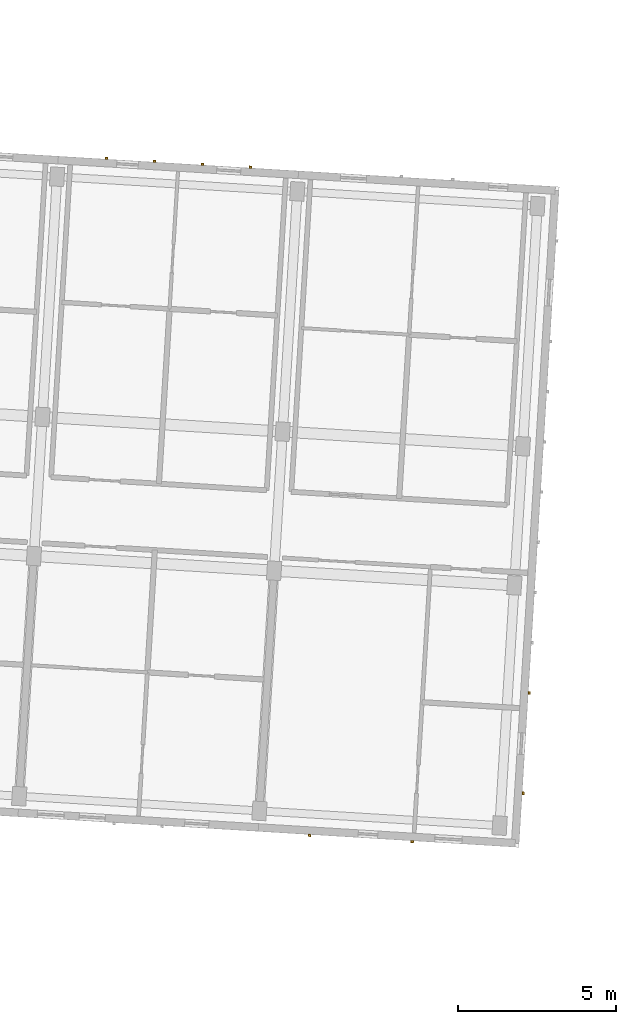
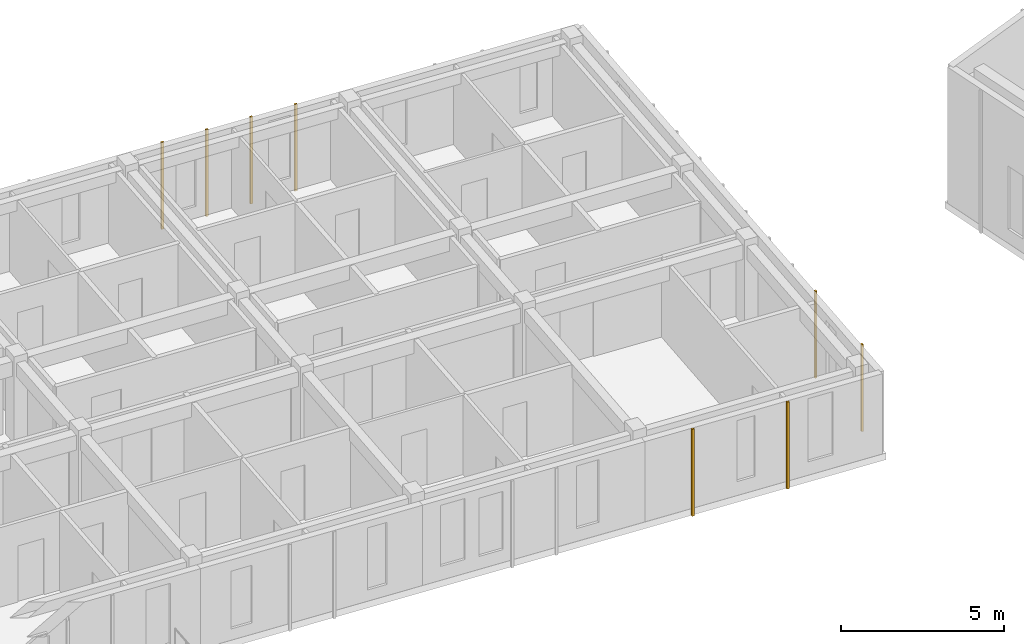
# One storey, part 50 of 65: 8 coverings.
"""IFC4 building model written with IfcOpenShell, lengths in metres."""

from ifc_helpers import new_model, si_unit, direction, frame, origin, origin_2d, place, context, subcontext, project, spatial, rectangle, extrude, material, layer, layer_set, type_object, element, save


model = new_model("IFC4")

# Units and contexts
model_context = context("Model", 3, precision=1e-05, world=origin(), true_north=direction((0.0, 1.0)))
body_context = subcontext(model_context, "Body", "Model", "MODEL_VIEW")
ifc_project = project(units=[si_unit("LENGTHUNIT", "METRE"), si_unit("AREAUNIT", "SQUARE_METRE"), si_unit("VOLUMEUNIT", "CUBIC_METRE"), si_unit("PLANEANGLEUNIT", "RADIAN"), si_unit("MASSUNIT", "GRAM", prefix="KILO")], contexts=[model_context])

# Site, building, storey
site_placement = place(None, origin())
site = spatial("IfcSite", under=ifc_project, at=site_placement, CompositionType="ELEMENT")
building_placement = place(site_placement, origin())
building = spatial("IfcBuilding", under=site, at=building_placement, Name="Kestramere Prow Commons", CompositionType="ELEMENT")
storey_placement = place(building_placement, frame((0.0, 0.0, 21.39990234375)))
storey = spatial("IfcBuildingStorey", under=building, at=storey_placement, Name="L06", CompositionType="ELEMENT", Elevation=21.39990234375)

# Coverings
ifc_material = material(Name="Weathered Zinc-Titanium Standing-Seam Cladding")
ifc_layer = layer(ifc_material, 0.074951171875)
ifc_layer_set = layer_set([ifc_layer], Name="Weathered Zinc-Titanium Standing-Seam Cladding")
covering_type = type_object("IfcCoveringType", Name="COV-CLAD-SEAM", PredefinedType="CLADDING", material=ifc_layer_set)
for number, where, z_axis, x_axis, name in (
    (1, (102.253662109375, 43.206298828125, -0.25), (0.0, 0.0, 1.0), (-0.998134798422, 0.061048539535, 0.0), "EW-C-L06-S-5 Standing-Seam Rib 2"),
    (2, (99.009765625, 43.40478515625, -0.25), (0.0, 0.0, 1.0), (-0.998134798422, 0.061048539535, 0.0), "EW-C-L06-S-5 Standing-Seam Rib 4"),
    (3, (92.598388671875, 64.791015625, -0.25), (0.0, 0.0, 1.0), (0.998134798422, -0.061048539535, 0.0), "EW-C-L06-N-4 Standing-Seam Rib 1"),
    (4, (94.115478515625, 64.6982421875, -0.25), (0.0, 0.0, 1.0), (0.998134798422, -0.061048539535, 0.0), "EW-C-L06-N-4 Standing-Seam Rib 2"),
    (5, (95.6328125, 64.60546875, -0.25), (0.0, 0.0, 1.0), (0.998134798422, -0.061048539535, 0.0), "EW-C-L06-N-4 Standing-Seam Rib 3"),
    (6, (97.14990234375, 64.5126953125, -0.25), (0.0, 0.0, 1.0), (0.998134798422, -0.061048539535, 0.0), "EW-C-L06-N-4 Standing-Seam Rib 4"),
    (7, (105.949951171875, 47.9072265625, -0.25), (0.0, 0.0, 1.0), (-0.061048539535, -0.998134798422, 0.0), "EW-C-L06-EAV Standing-Seam Rib 10"),
    (8, (105.756103515625, 44.736328125, -0.25), (0.0, 0.0, 1.0), (-0.061048539535, -0.998134798422, 0.0), "EW-C-L06-EAV Standing-Seam Rib 12"),
):
    element("IfcCovering", number, at=place(storey_placement, frame(where, z_axis=z_axis, x_axis=x_axis)), inside=storey, type_object=covering_type, Name=name, PredefinedType="CLADDING", context=body_context, shape_type="SweptSolid", body=[
        extrude(rectangle(XDim=0.0849609375, YDim=0.06494140625, at=origin_2d()), origin(), (0.0, 0.0, 1.0), 3.25),
    ])

save(model, "model.ifc")
